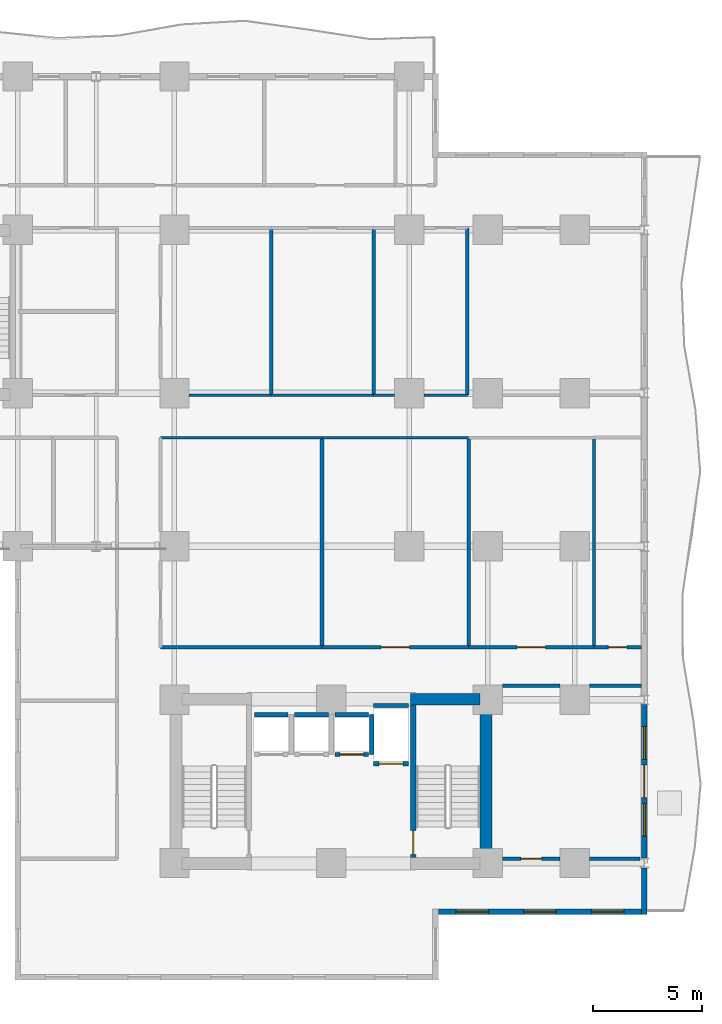
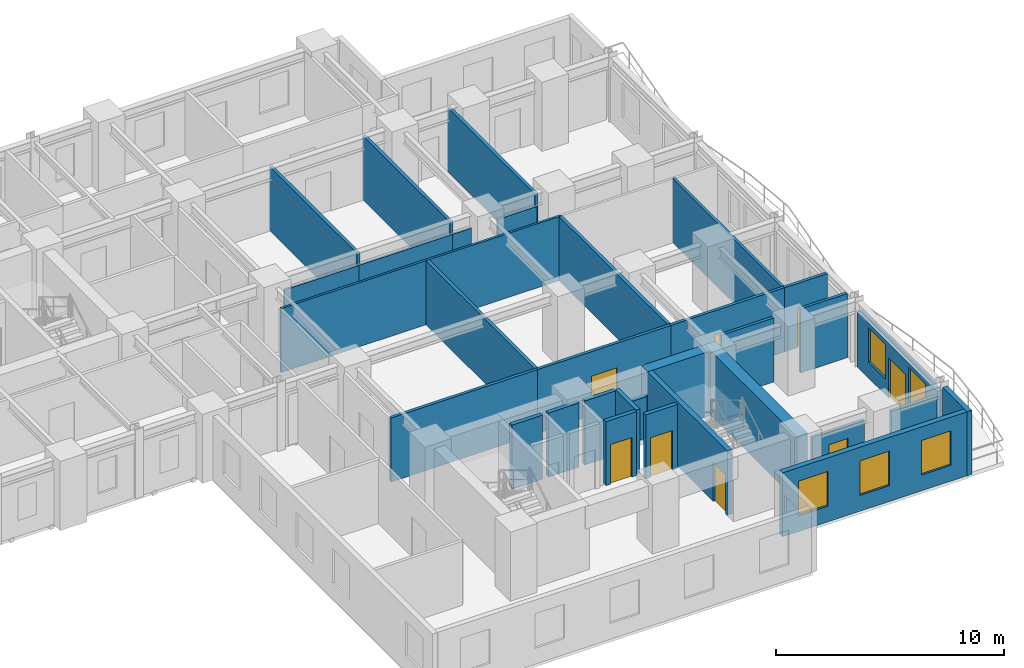
# One storey, part 5 of 11: 33 walls, 8 doors, 5 windows, 13 openings.
"""IFC4 building model written with IfcOpenShell, lengths in metres."""

from ifc_helpers import new_model, si_unit, direction, frame, frame_2d, origin, place, context, subcontext, project, spatial, rectangle, extrude, material, layer, layer_set, type_object, element, fill, save


model = new_model("IFC4")

# Units and contexts
model_context = context("Model", 3, precision=1e-05, world=origin(), true_north=direction((0.0, 1.0)))
body_context = subcontext(model_context, "Body", "Model", "MODEL_VIEW")
ifc_project = project(units=[si_unit("LENGTHUNIT", "METRE"), si_unit("AREAUNIT", "SQUARE_METRE"), si_unit("VOLUMEUNIT", "CUBIC_METRE"), si_unit("PLANEANGLEUNIT", "RADIAN"), si_unit("MASSUNIT", "GRAM", prefix="KILO")], contexts=[model_context])

# Site, building, storey
site_placement = place(None, origin())
site = spatial("IfcSite", under=ifc_project, at=site_placement, CompositionType="ELEMENT")
building_placement = place(site_placement, origin())
building = spatial("IfcBuilding", under=site, at=building_placement, Name="Kaliganga Portal Commons", CompositionType="ELEMENT")
storey_placement = place(building_placement, frame((0.0, 0.0, 58.60009765625)))
storey = spatial("IfcBuildingStorey", under=building, at=storey_placement, Name="L14", CompositionType="ELEMENT", Elevation=58.60009765625)

# Walls
ifc_material_1 = material(Name="Concrete C60/75", Category="concrete")
ifc_layer_1 = layer(ifc_material_1, 0.550048828125)
ifc_layer_set_1 = layer_set([ifc_layer_1], Name="Concrete C60/75")
wall_type_1 = type_object("IfcWallType", Name="WL-CORE-550", PredefinedType="SHEAR", material=ifc_layer_set_1)
wall_1_placement = place(storey_placement, frame((50.324951171875, 6.75, 0.0), z_axis=(0.0, 0.0, 1.0), x_axis=(0.0, 1.0, 0.0)))
element("IfcWall", 1, at=wall_1_placement, inside=storey, type_object=wall_type_1, Name="Core B East Shear Wall L14", PredefinedType="SHEAR", context=body_context, shape_type="SweptSolid", body=[
    extrude(rectangle(XDim=8.10009765625, YDim=0.550048828125, at=frame_2d((4.050048828125, 0.0))), origin(), (0.0, 0.0, 1.0), 3.449951171875),
])
wall_2_placement = place(storey_placement, frame((46.85009765625, 14.574951171875, 0.0), z_axis=(0.0, 0.0, 1.0), x_axis=(1.0, 0.0, 0.0)))
element("IfcWall", 2, at=wall_2_placement, inside=storey, type_object=wall_type_1, Name="Core B N-East Shear Wall L14", PredefinedType="SHEAR", context=body_context, shape_type="SweptSolid", body=[
    extrude(rectangle(XDim=3.199951171875, YDim=0.550048828125, at=frame_2d((1.60009765625, 0.0))), origin(), (0.0, 0.0, 1.0), 3.449951171875),
])

# Wall, openings, windows
ifc_material_2 = material(Name="Insulated Aluminium-Clad Spandrel Assembly", Category="aluminium")
ifc_layer_2 = layer(ifc_material_2, 0.260009765625)
ifc_layer_set_2 = layer_set([ifc_layer_2], Name="Insulated Aluminium-Clad Spandrel Assembly")
wall_type_2 = type_object("IfcWallType", Name="WL-EXT-SPAND-260", PredefinedType="STANDARD", material=ifc_layer_set_2)
wall_3_placement = place(storey_placement, frame((57.465087890625, 4.800048828125, 0.0), z_axis=(0.0, 0.0, 1.0), x_axis=(-1.0, 0.0, 0.0)))
wall_3 = element("IfcWall", 3, at=wall_3_placement, inside=storey, type_object=wall_type_2, Name="Exterior Envelope Wall L14 P1-E02-S1", PredefinedType="STANDARD", context=body_context, shape_type="SweptSolid", body=[
    extrude(rectangle(XDim=9.330078125, YDim=0.260009765625, at=frame_2d((4.6650390625, 0.0))), origin(), (0.0, 0.0, 1.0), 3.429931640625),
])
opening_1_placement = place(wall_3_placement, frame((0.804931640625, 0.0, 0.85009765625)))
opening_1 = element("IfcOpeningElement", 4, at=opening_1_placement, cuts=wall_3, Name="Opening W-02", PredefinedType="OPENING", context=body_context, shape_type="SweptSolid", body=[
    extrude(rectangle(XDim=1.5, YDim=1.85009765625, at=frame_2d((0.75, 0.925048828125))), frame((0.0, 0.14013671875, 0.0), z_axis=(0.0, -1.0, 0.0), x_axis=(1.0, 0.0, 0.0)), (0.0, 0.0, 1.0), 0.280029296875),
])
opening_2_placement = place(wall_3_placement, frame((3.9150390625, 0.0, 0.85009765625)))
opening_2 = element("IfcOpeningElement", 5, at=opening_2_placement, cuts=wall_3, Name="Opening W-02", PredefinedType="OPENING", context=body_context, shape_type="SweptSolid", body=[
    extrude(rectangle(XDim=1.5, YDim=1.85009765625, at=frame_2d((0.75, 0.925048828125))), frame((0.0, 0.14013671875, 0.0), z_axis=(0.0, -1.0, 0.0), x_axis=(1.0, 0.0, 0.0)), (0.0, 0.0, 1.0), 0.280029296875),
])
opening_3_placement = place(wall_3_placement, frame((7.02490234375, 0.0, 0.85009765625)))
opening_3 = element("IfcOpeningElement", 6, at=opening_3_placement, cuts=wall_3, Name="Opening W-02", PredefinedType="OPENING", context=body_context, shape_type="SweptSolid", body=[
    extrude(rectangle(XDim=1.5, YDim=1.85009765625, at=frame_2d((0.75, 0.925048828125))), frame((0.0, 0.14013671875, 0.0), z_axis=(0.0, -1.0, 0.0), x_axis=(1.0, 0.0, 0.0)), (0.0, 0.0, 1.0), 0.280029296875),
])
ifc_material_3 = material(Name="Thermally Broken Aluminium and Low-E Double Glazing", Category="aluminium")
window_type = type_object("IfcWindowType", Name="WIN-STD-1500", PartitioningType="DOUBLE_PANEL_VERTICAL", PredefinedType="WINDOW", material=ifc_material_3)
window_1_placement = place(opening_1_placement, origin())
window_1 = element("IfcWindow", 7, at=window_1_placement, inside=storey, type_object=window_type, Name="Facade Window L14-P1E02S1-00", OverallHeight=1.85009765625, OverallWidth=1.5, PartitioningType="SINGLE_PANEL", PredefinedType="WINDOW", context=body_context, shape_type="SweptSolid", body=[
    extrude(rectangle(XDim=1.5, YDim=1.85009765625, at=frame_2d((0.75, 0.925048828125))), frame((0.0, 0.030029296875, 0.0), z_axis=(0.0, -1.0, 0.0), x_axis=(1.0, 0.0, 0.0)), (0.0, 0.0, 1.0), 0.06005859375),
])
fill(opening_1, window_1)
window_2_placement = place(opening_2_placement, origin())
window_2 = element("IfcWindow", 8, at=window_2_placement, inside=storey, type_object=window_type, Name="Facade Window L14-P1E02S1-01", OverallHeight=1.85009765625, OverallWidth=1.5, PartitioningType="SINGLE_PANEL", PredefinedType="WINDOW", context=body_context, shape_type="SweptSolid", body=[
    extrude(rectangle(XDim=1.5, YDim=1.85009765625, at=frame_2d((0.75, 0.925048828125))), frame((0.0, 0.030029296875, 0.0), z_axis=(0.0, -1.0, 0.0), x_axis=(1.0, 0.0, 0.0)), (0.0, 0.0, 1.0), 0.06005859375),
])
fill(opening_2, window_2)
window_3_placement = place(opening_3_placement, origin())
window_3 = element("IfcWindow", 9, at=window_3_placement, inside=storey, type_object=window_type, Name="Facade Window L14-P1E02S1-02", OverallHeight=1.85009765625, OverallWidth=1.5, PartitioningType="SINGLE_PANEL", PredefinedType="WINDOW", context=body_context, shape_type="SweptSolid", body=[
    extrude(rectangle(XDim=1.5, YDim=1.85009765625, at=frame_2d((0.75, 0.925048828125))), frame((0.0, 0.030029296875, 0.0), z_axis=(0.0, -1.0, 0.0), x_axis=(1.0, 0.0, 0.0)), (0.0, 0.0, 1.0), 0.06005859375),
])
fill(opening_3, window_3)

# Wall
wall_4_placement = place(storey_placement, frame((57.60009765625, 6.825927734375, 0.0), z_axis=(0.0, 0.0, 1.0), x_axis=(0.0, -1.0, 0.0)))
element("IfcWall", 10, at=wall_4_placement, inside=storey, type_object=wall_type_2, Name="Exterior Envelope Wall L14 P1-E03-S1", PredefinedType="STANDARD", context=body_context, shape_type="SweptSolid", body=[
    extrude(rectangle(XDim=2.156005859375, YDim=0.260009765625, at=frame_2d((1.078125, 0.0))), origin(), (0.0, 0.0, 1.0), 3.429931640625),
])

# Wall, openings, door, windows
wall_5_placement = place(storey_placement, frame((57.60009765625, 14.325927734375, 0.0), z_axis=(0.0, 0.0, 1.0), x_axis=(0.0, -1.0, 0.0)))
wall_5 = element("IfcWall", 11, at=wall_5_placement, inside=storey, type_object=wall_type_2, Name="Exterior Envelope Wall L14 P1-E03-S2", PredefinedType="STANDARD", context=body_context, shape_type="SweptSolid", body=[
    extrude(rectangle(XDim=7.052001953125, YDim=0.260009765625, at=frame_2d((3.52587890625, 0.0))), origin(), (0.0, 0.0, 1.0), 2.929931640625),
])
opening_4_placement = place(wall_5_placement, frame((2.77587890625, 0.0, 0.0)))
opening_4 = element("IfcOpeningElement", 12, at=opening_4_placement, cuts=wall_5, Name="Opening BD-01", PredefinedType="OPENING", context=body_context, shape_type="SweptSolid", body=[
    extrude(rectangle(XDim=1.5, YDim=2.14990234375, at=frame_2d((0.75, 1.074951171875))), frame((0.0, 0.14013671875, 0.0), z_axis=(0.0, -1.0, 0.0), x_axis=(1.0, 0.0, 0.0)), (0.0, 0.0, 1.0), 0.280029296875),
])
opening_5_placement = place(wall_5_placement, frame((1.012939453125, 0.0, 0.85009765625)))
opening_5 = element("IfcOpeningElement", 13, at=opening_5_placement, cuts=wall_5, Name="Opening W-02", PredefinedType="OPENING", context=body_context, shape_type="SweptSolid", body=[
    extrude(rectangle(XDim=1.5, YDim=1.85009765625, at=frame_2d((0.75, 0.925048828125))), frame((0.0, 0.14013671875, 0.0), z_axis=(0.0, -1.0, 0.0), x_axis=(1.0, 0.0, 0.0)), (0.0, 0.0, 1.0), 0.280029296875),
])
opening_6_placement = place(wall_5_placement, frame((4.5390625, 0.0, 0.85009765625)))
opening_6 = element("IfcOpeningElement", 14, at=opening_6_placement, cuts=wall_5, Name="Opening W-02", PredefinedType="OPENING", context=body_context, shape_type="SweptSolid", body=[
    extrude(rectangle(XDim=1.5, YDim=1.85009765625, at=frame_2d((0.75, 0.925048828125))), frame((0.0, 0.14013671875, 0.0), z_axis=(0.0, -1.0, 0.0), x_axis=(1.0, 0.0, 0.0)), (0.0, 0.0, 1.0), 0.280029296875),
])
ifc_material_4 = material(Name="Anodized Aluminium and Laminated Safety Glass", Category="aluminium")
door_type_1 = type_object("IfcDoorType", Name="DR-BALC-1500", OperationType="SLIDING_TO_LEFT", PredefinedType="DOOR", material=ifc_material_4)
door_1_placement = place(opening_4_placement, origin())
door_1 = element("IfcDoor", 15, at=door_1_placement, inside=storey, type_object=door_type_1, Name="Balcony Sliding Door L14 balc_east", OperationType="SLIDING_TO_LEFT", OverallHeight=2.14990234375, OverallWidth=1.5, PredefinedType="DOOR", context=body_context, shape_type="SweptSolid", body=[
    extrude(rectangle(XDim=1.5, YDim=2.14990234375, at=frame_2d((0.75, 1.074951171875))), frame((0.0, 0.02490234375, 0.0), z_axis=(0.0, -1.0, 0.0), x_axis=(1.0, 0.0, 0.0)), (0.0, 0.0, 1.0), 0.050048828125),
])
fill(opening_4, door_1)
window_4_placement = place(opening_5_placement, origin())
window_4 = element("IfcWindow", 16, at=window_4_placement, inside=storey, type_object=window_type, Name="Facade Window L14-P1E03S2-00", OverallHeight=1.85009765625, OverallWidth=1.5, PartitioningType="SINGLE_PANEL", PredefinedType="WINDOW", context=body_context, shape_type="SweptSolid", body=[
    extrude(rectangle(XDim=1.5, YDim=1.85009765625, at=frame_2d((0.75, 0.925048828125))), frame((0.0, 0.030029296875, 0.0), z_axis=(0.0, -1.0, 0.0), x_axis=(1.0, 0.0, 0.0)), (0.0, 0.0, 1.0), 0.06005859375),
])
fill(opening_5, window_4)
window_5_placement = place(opening_6_placement, origin())
window_5 = element("IfcWindow", 17, at=window_5_placement, inside=storey, type_object=window_type, Name="Facade Window L14-P1E03S2-01", OverallHeight=1.85009765625, OverallWidth=1.5, PartitioningType="SINGLE_PANEL", PredefinedType="WINDOW", context=body_context, shape_type="SweptSolid", body=[
    extrude(rectangle(XDim=1.5, YDim=1.85009765625, at=frame_2d((0.75, 0.925048828125))), frame((0.0, 0.030029296875, 0.0), z_axis=(0.0, -1.0, 0.0), x_axis=(1.0, 0.0, 0.0)), (0.0, 0.0, 1.0), 0.06005859375),
])
fill(opening_6, window_5)

# Wall
ifc_material_5 = material(Name="Fire-Rated Gypsum Board on Steel Stud", Category="steel")
ifc_layer_3 = layer(ifc_material_5, 0.14990234375)
ifc_layer_set_3 = layer_set([ifc_layer_3], Name="Fire-Rated Gypsum Board on Steel Stud")
wall_type_3 = type_object("IfcWallType", Name="WL-PART-CORR-150", PredefinedType="PARTITIONING", material=ifc_layer_set_3)
wall_6_placement = place(storey_placement, frame((35.360107421875, 16.9599609375, 0.0), z_axis=(0.0, 0.0, 1.0), x_axis=(1.0, 0.0, 0.0)))
element("IfcWall", 18, at=wall_6_placement, inside=storey, type_object=wall_type_3, Name="Interior Partition L14-013", PredefinedType="PARTITIONING", context=body_context, shape_type="SweptSolid", body=[
    extrude(rectangle(XDim=7.419921875, YDim=0.14990234375, at=frame_2d((3.7099609375, 0.0))), origin(), (0.0, 0.0, 1.0), 3.429931640625),
])

# Wall, opening, door
wall_7_placement = place(storey_placement, frame((51.074951171875, 7.239990234375, 0.0), z_axis=(0.0, 0.0, 1.0), x_axis=(1.0, 0.0, 0.0)))
wall_7 = element("IfcWall", 19, at=wall_7_placement, inside=storey, type_object=wall_type_3, Name="Interior Partition L14-017", PredefinedType="PARTITIONING", context=body_context, shape_type="SweptSolid", body=[
    extrude(rectangle(XDim=2.650146484375, YDim=0.14990234375, at=frame_2d((1.3251953125, 0.0))), origin(), (0.0, 0.0, 1.0), 2.77978515625),
])
opening_7_placement = place(wall_7_placement, frame((0.85009765625, 0.0, 0.0)))
opening_7 = element("IfcOpeningElement", 20, at=opening_7_placement, cuts=wall_7, Name="Opening UD-01", PredefinedType="OPENING", context=body_context, shape_type="SweptSolid", body=[
    extrude(rectangle(XDim=0.949951171875, YDim=2.10009765625, at=frame_2d((0.47509765625, 1.050048828125))), frame((0.0, 0.0849609375, 0.0), z_axis=(0.0, -1.0, 0.0), x_axis=(1.0, 0.0, 0.0)), (0.0, 0.0, 1.0), 0.169921875),
])
ifc_material_6 = material(Name="Solid-Core Timber Acoustic Fire Door", Category="wood")
door_type_2 = type_object("IfcDoorType", Name="DR-UNIT-950", OperationType="NOTDEFINED", PredefinedType="DOOR", material=ifc_material_6)
door_2_placement = place(opening_7_placement, origin())
door_2 = element("IfcDoor", 21, at=door_2_placement, inside=storey, type_object=door_type_2, Name="Interior Door L14-BE01", OperationType="SINGLE_SWING_RIGHT", OverallHeight=2.10009765625, OverallWidth=0.949951171875, PredefinedType="DOOR", context=body_context, shape_type="SweptSolid", body=[
    extrude(rectangle(XDim=0.949951171875, YDim=2.10009765625, at=frame_2d((0.47509765625, 1.050048828125))), frame((0.0, 0.02490234375, 0.0), z_axis=(0.0, -1.0, 0.0), x_axis=(1.0, 0.0, 0.0)), (0.0, 0.0, 1.0), 0.050048828125),
])
fill(opening_7, door_2)

# Walls
wall_8_placement = place(storey_placement, frame((55.074951171875, 7.239990234375, 0.0), z_axis=(0.0, 0.0, 1.0), x_axis=(1.0, 0.0, 0.0)))
element("IfcWall", 22, at=wall_8_placement, inside=storey, type_object=wall_type_3, Name="Interior Partition L14-018", PredefinedType="PARTITIONING", context=body_context, shape_type="SweptSolid", body=[
    extrude(rectangle(XDim=2.317138671875, YDim=0.14990234375, at=frame_2d((1.15869140625, 0.0))), origin(), (0.0, 0.0, 1.0), 2.77978515625),
])
wall_9_placement = place(storey_placement, frame((51.074951171875, 15.199951171875, 0.0), z_axis=(0.0, 0.0, 1.0), x_axis=(1.0, 0.0, 0.0)))
element("IfcWall", 23, at=wall_9_placement, inside=storey, type_object=wall_type_3, Name="Interior Partition L14-019", PredefinedType="PARTITIONING", context=body_context, shape_type="SweptSolid", body=[
    extrude(rectangle(XDim=2.650146484375, YDim=0.14990234375, at=frame_2d((1.3251953125, 0.0))), origin(), (0.0, 0.0, 1.0), 3.429931640625),
])
wall_10_placement = place(storey_placement, frame((55.074951171875, 15.199951171875, 0.0), z_axis=(0.0, 0.0, 1.0), x_axis=(1.0, 0.0, 0.0)))
element("IfcWall", 24, at=wall_10_placement, inside=storey, type_object=wall_type_3, Name="Interior Partition L14-020", PredefinedType="PARTITIONING", context=body_context, shape_type="SweptSolid", body=[
    extrude(rectangle(XDim=2.39306640625, YDim=0.14990234375, at=frame_2d((1.196533203125, 0.0))), origin(), (0.0, 0.0, 1.0), 3.429931640625),
])

# Wall, opening, door
wall_11_placement = place(storey_placement, frame((42.780029296875, 16.9599609375, 0.0), z_axis=(0.0, 0.0, 1.0), x_axis=(1.0, 0.0, 0.0)))
wall_11 = element("IfcWall", 25, at=wall_11_placement, inside=storey, type_object=wall_type_3, Name="Interior Partition L14-022", PredefinedType="PARTITIONING", context=body_context, shape_type="SweptSolid", body=[
    extrude(rectangle(XDim=6.739990234375, YDim=0.14990234375, at=frame_2d((3.3701171875, 0.0))), origin(), (0.0, 0.0, 1.0), 3.429931640625),
])
opening_8_placement = place(wall_11_placement, frame((2.719970703125, 0.0, 0.0)))
opening_8 = element("IfcOpeningElement", 26, at=opening_8_placement, cuts=wall_11, Name="Opening RD-03", PredefinedType="OPENING", context=body_context, shape_type="SweptSolid", body=[
    extrude(rectangle(XDim=1.300048828125, YDim=2.1201171875, at=frame_2d((0.64990234375, 1.06005859375))), frame((0.0, 0.0849609375, 0.0), z_axis=(0.0, -1.0, 0.0), x_axis=(1.0, 0.0, 0.0)), (0.0, 0.0, 1.0), 0.169921875),
])
ifc_material_7 = material(Name="Glazed Timber Seminar Vision Door", Category="wood")
door_type_3 = type_object("IfcDoorType", Name="DR-STUDY-1300", OperationType="DOUBLE_DOOR_SINGLE_SWING", PredefinedType="DOOR", material=ifc_material_7)
door_3_placement = place(opening_8_placement, origin())
door_3 = element("IfcDoor", 27, at=door_3_placement, inside=storey, type_object=door_type_3, Name="Interior Door L14-BM02", OperationType="DOUBLE_DOOR_SINGLE_SWING", OverallHeight=2.1201171875, OverallWidth=1.300048828125, PredefinedType="DOOR", context=body_context, shape_type="SweptSolid", body=[
    extrude(rectangle(XDim=1.300048828125, YDim=2.1201171875, at=frame_2d((0.64990234375, 1.06005859375))), frame((0.0, 0.02490234375, 0.0), z_axis=(0.0, -1.0, 0.0), x_axis=(1.0, 0.0, 0.0)), (0.0, 0.0, 1.0), 0.050048828125),
])
fill(opening_8, door_3)

wall_12_placement = place(storey_placement, frame((49.52001953125, 16.9599609375, 0.0), z_axis=(0.0, 0.0, 1.0), x_axis=(1.0, 0.0, 0.0)))
wall_12 = element("IfcWall", 28, at=wall_12_placement, inside=storey, type_object=wall_type_3, Name="Interior Partition L14-026", PredefinedType="PARTITIONING", context=body_context, shape_type="SweptSolid", body=[
    extrude(rectangle(XDim=5.760009765625, YDim=0.14990234375, at=frame_2d((2.8798828125, 0.0))), origin(), (0.0, 0.0, 1.0), 3.429931640625),
])
opening_9_placement = place(wall_12_placement, frame((2.22998046875, 0.0, 0.0)))
opening_9 = element("IfcOpeningElement", 29, at=opening_9_placement, cuts=wall_12, Name="Opening RD-03", PredefinedType="OPENING", context=body_context, shape_type="SweptSolid", body=[
    extrude(rectangle(XDim=1.300048828125, YDim=2.1201171875, at=frame_2d((0.64990234375, 1.06005859375))), frame((0.0, 0.0849609375, 0.0), z_axis=(0.0, -1.0, 0.0), x_axis=(1.0, 0.0, 0.0)), (0.0, 0.0, 1.0), 0.169921875),
])
door_4_placement = place(opening_9_placement, origin())
door_4 = element("IfcDoor", 30, at=door_4_placement, inside=storey, type_object=door_type_3, Name="Interior Door L14-BM03", OperationType="DOUBLE_DOOR_SINGLE_SWING", OverallHeight=2.1201171875, OverallWidth=1.300048828125, PredefinedType="DOOR", context=body_context, shape_type="SweptSolid", body=[
    extrude(rectangle(XDim=1.300048828125, YDim=2.1201171875, at=frame_2d((0.64990234375, 1.06005859375))), frame((0.0, 0.02490234375, 0.0), z_axis=(0.0, -1.0, 0.0), x_axis=(1.0, 0.0, 0.0)), (0.0, 0.0, 1.0), 0.050048828125),
])
fill(opening_9, door_4)

wall_13_placement = place(storey_placement, frame((55.280029296875, 16.9599609375, 0.0), z_axis=(0.0, 0.0, 1.0), x_axis=(1.0, 0.0, 0.0)))
wall_13 = element("IfcWall", 31, at=wall_13_placement, inside=storey, type_object=wall_type_3, Name="Interior Partition L14-044", PredefinedType="PARTITIONING", context=body_context, shape_type="SweptSolid", body=[
    extrude(rectangle(XDim=2.18798828125, YDim=0.14990234375, at=frame_2d((1.093994140625, 0.0))), origin(), (0.0, 0.0, 1.0), 3.429931640625),
])
opening_10_placement = place(wall_13_placement, frame((0.6689453125, 0.0, 0.0)))
opening_10 = element("IfcOpeningElement", 32, at=opening_10_placement, cuts=wall_13, Name="Opening WD-01", PredefinedType="OPENING", context=body_context, shape_type="SweptSolid", body=[
    extrude(rectangle(XDim=0.85009765625, YDim=2.0400390625, at=frame_2d((0.425048828125, 1.02001953125))), frame((0.0, 0.0849609375, 0.0), z_axis=(0.0, -1.0, 0.0), x_axis=(1.0, 0.0, 0.0)), (0.0, 0.0, 1.0), 0.169921875),
])
ifc_material_8 = material(Name="Moisture-Resistant Laminate Timber Door", Category="wood")
door_type_4 = type_object("IfcDoorType", Name="DR-WET-850", OperationType="NOTDEFINED", PredefinedType="DOOR", material=ifc_material_8)
door_5_placement = place(opening_10_placement, origin())
door_5 = element("IfcDoor", 33, at=door_5_placement, inside=storey, type_object=door_type_4, Name="Interior Door L14-BM04", OperationType="SINGLE_SWING_LEFT", OverallHeight=2.0400390625, OverallWidth=0.85009765625, PredefinedType="DOOR", context=body_context, shape_type="SweptSolid", body=[
    extrude(rectangle(XDim=0.85009765625, YDim=2.0400390625, at=frame_2d((0.425048828125, 1.02001953125))), frame((0.0, 0.02490234375, 0.0), z_axis=(0.0, -1.0, 0.0), x_axis=(1.0, 0.0, 0.0)), (0.0, 0.0, 1.0), 0.050048828125),
])
fill(opening_10, door_5)

# Walls
ifc_material_9 = material(Name="Moisture-Resistant Gypsum Partition", Category="gypsum")
ifc_layer_4 = layer(ifc_material_9, 0.114990234375)
ifc_layer_set_4 = layer_set([ifc_layer_4], Name="Moisture-Resistant Gypsum Partition")
wall_type_4 = type_object("IfcWallType", Name="WL-PART-ROOM-115", PredefinedType="PARTITIONING", material=ifc_layer_set_4)
wall_14_placement = place(storey_placement, frame((35.360107421875, 26.60009765625, 0.0), z_axis=(0.0, 0.0, 1.0), x_axis=(1.0, 0.0, 0.0)))
element("IfcWall", 34, at=wall_14_placement, inside=storey, type_object=wall_type_4, Name="Interior Partition L14-056", PredefinedType="PARTITIONING", context=body_context, shape_type="SweptSolid", body=[
    extrude(rectangle(XDim=7.419921875, YDim=0.114990234375, at=frame_2d((3.7099609375, 0.0))), origin(), (0.0, 0.0, 1.0), 3.429931640625),
])
wall_15_placement = place(storey_placement, frame((42.780029296875, 26.60009765625, 0.0), z_axis=(0.0, 0.0, 1.0), x_axis=(1.0, 0.0, 0.0)))
element("IfcWall", 35, at=wall_15_placement, inside=storey, type_object=wall_type_4, Name="Interior Partition L14-057", PredefinedType="PARTITIONING", context=body_context, shape_type="SweptSolid", body=[
    extrude(rectangle(XDim=6.739990234375, YDim=0.114990234375, at=frame_2d((3.3701171875, 0.0))), origin(), (0.0, 0.0, 1.0), 3.429931640625),
])
wall_16_placement = place(storey_placement, frame((36.675048828125, 28.56005859375, 0.0), z_axis=(0.0, 0.0, 1.0), x_axis=(1.0, 0.0, 0.0)))
element("IfcWall", 36, at=wall_16_placement, inside=storey, type_object=wall_type_4, Name="Interior Partition L14-059", PredefinedType="PARTITIONING", context=body_context, shape_type="SweptSolid", body=[
    extrude(rectangle(XDim=3.764892578125, YDim=0.114990234375, at=frame_2d((1.88232421875, 0.0))), origin(), (0.0, 0.0, 1.0), 2.77978515625),
])
wall_17_placement = place(storey_placement, frame((40.43994140625, 28.56005859375, 0.0), z_axis=(0.0, 0.0, 1.0), x_axis=(1.0, 0.0, 0.0)))
element("IfcWall", 37, at=wall_17_placement, inside=storey, type_object=wall_type_4, Name="Interior Partition L14-072", PredefinedType="PARTITIONING", context=body_context, shape_type="SweptSolid", body=[
    extrude(rectangle(XDim=4.719970703125, YDim=0.114990234375, at=frame_2d((2.35986328125, 0.0))), origin(), (0.0, 0.0, 1.0), 2.77978515625),
])
wall_18_placement = place(storey_placement, frame((45.159912109375, 28.56005859375, 0.0), z_axis=(0.0, 0.0, 1.0), x_axis=(1.0, 0.0, 0.0)))
element("IfcWall", 38, at=wall_18_placement, inside=storey, type_object=wall_type_4, Name="Interior Partition L14-076", PredefinedType="PARTITIONING", context=body_context, shape_type="SweptSolid", body=[
    extrude(rectangle(XDim=0.965087890625, YDim=0.114990234375, at=frame_2d((0.482421875, 0.0))), origin(), (0.0, 0.0, 1.0), 2.77978515625),
])
wall_19_placement = place(storey_placement, frame((47.47509765625, 28.56005859375, 0.0), z_axis=(0.0, 0.0, 1.0), x_axis=(1.0, 0.0, 0.0)))
element("IfcWall", 39, at=wall_19_placement, inside=storey, type_object=wall_type_4, Name="Interior Partition L14-077", PredefinedType="PARTITIONING", context=body_context, shape_type="SweptSolid", body=[
    extrude(rectangle(XDim=1.98486328125, YDim=0.114990234375, at=frame_2d((0.992431640625, 0.0))), origin(), (0.0, 0.0, 1.0), 2.77978515625),
])
ifc_material_10 = material(Name="Twin-Stud Acoustic Gypsum Partition", Category="gypsum")
ifc_layer_5 = layer(ifc_material_10, 0.1650390625)
ifc_layer_set_5 = layer_set([ifc_layer_5], Name="Twin-Stud Acoustic Gypsum Partition")
wall_type_5 = type_object("IfcWallType", Name="WL-PART-UNIT-165", PredefinedType="PARTITIONING", material=ifc_layer_set_5)
for number, where, z_axis, x_axis, name in (
    (40, (42.780029296875, 16.9599609375, 0.0), (0.0, 0.0, 1.0), (0.0, 1.0, 0.0), "Interior Partition L14-048"),
    (41, (49.52001953125, 16.9599609375, 0.0), (0.0, 0.0, 1.0), (0.0, 1.0, 0.0), "Interior Partition L14-049"),
):
    element("IfcWall", number, at=place(storey_placement, frame(where, z_axis=z_axis, x_axis=x_axis)), inside=storey, type_object=wall_type_5, Name=name, PredefinedType="PARTITIONING", context=body_context, shape_type="SweptSolid", body=[
        extrude(rectangle(XDim=9.64013671875, YDim=0.1650390625, at=frame_2d((4.820068359375, 0.0))), origin(), (0.0, 0.0, 1.0), 3.429931640625),
    ])
for number, where, z_axis, x_axis, name in (
    (42, (40.43994140625, 28.56005859375, 0.0), (0.0, 0.0, 1.0), (0.0, 1.0, 0.0), "Interior Partition L14-053"),
    (43, (45.159912109375, 28.56005859375, 0.0), (0.0, 0.0, 1.0), (0.0, 1.0, 0.0), "Interior Partition L14-054"),
    (44, (49.4599609375, 28.56005859375, 0.0), (0.0, 0.0, 1.0), (0.0, 1.0, 0.0), "Interior Partition L14-055"),
):
    element("IfcWall", number, at=place(storey_placement, frame(where, z_axis=z_axis, x_axis=x_axis)), inside=storey, type_object=wall_type_5, Name=name, PredefinedType="PARTITIONING", context=body_context, shape_type="SweptSolid", body=[
        extrude(rectangle(XDim=7.679931640625, YDim=0.1650390625, at=frame_2d((3.83984375, 0.0))), origin(), (0.0, 0.0, 1.0), 3.429931640625),
    ])
ifc_material_11 = material(Name="Cement-Board Wet-Room Partition", Category="gypsum")
ifc_layer_6 = layer(ifc_material_11, 0.135009765625)
ifc_layer_set_6 = layer_set([ifc_layer_6], Name="Cement-Board Wet-Room Partition")
wall_type_6 = type_object("IfcWallType", Name="WL-PART-WET-135", PredefinedType="PARTITIONING", material=ifc_layer_set_6)
wall_20_placement = place(storey_placement, frame((55.280029296875, 16.9599609375, 0.0), z_axis=(0.0, 0.0, 1.0), x_axis=(0.0, 1.0, 0.0)))
element("IfcWall", 45, at=wall_20_placement, inside=storey, type_object=wall_type_6, Name="Interior Partition L14-050", PredefinedType="PARTITIONING", context=body_context, shape_type="SweptSolid", body=[
    extrude(rectangle(XDim=9.64013671875, YDim=0.135009765625, at=frame_2d((4.820068359375, 0.0))), origin(), (0.0, 0.0, 1.0), 3.429931640625),
])
ifc_material_12 = material(Name="Fire-Rated Shaftwall Masonry Assembly", Category="masonry")
ifc_layer_7 = layer(ifc_material_12, 0.199951171875)
ifc_layer_set_7 = layer_set([ifc_layer_7], Name="Fire-Rated Shaftwall Masonry Assembly")
wall_type_7 = type_object("IfcWallType", Name="WL-SHAFT-200", PredefinedType="PARTITIONING", material=ifc_layer_set_7)
for number, where, z_axis, x_axis, name in (
    (46, (39.675048828125, 13.864990234375, 0.0), (0.0, 0.0, 1.0), (1.0, 0.0, 0.0), "Lift PL-B1 Hoistway Shaft Wall L14-N"),
    (47, (41.52490234375, 13.864990234375, 0.0), (0.0, 0.0, 1.0), (1.0, 0.0, 0.0), "Lift PL-B2 Hoistway Shaft Wall L14-N"),
):
    element("IfcWall", number, at=place(storey_placement, frame(where, z_axis=z_axis, x_axis=x_axis)), inside=storey, type_object=wall_type_7, Name=name, PredefinedType="PARTITIONING", context=body_context, shape_type="SweptSolid", body=[
        extrude(rectangle(XDim=1.550048828125, YDim=0.199951171875, at=frame_2d((0.77490234375, 0.0))), origin(), (0.0, 0.0, 1.0), 3.429931640625),
    ])

# Wall, opening, door
wall_21_placement = place(storey_placement, frame((43.375, 12.034912109375, 0.0), z_axis=(0.0, 0.0, 1.0), x_axis=(1.0, 0.0, 0.0)))
wall_21 = element("IfcWall", 48, at=wall_21_placement, inside=storey, type_object=wall_type_7, Name="Lift SH-2 Hoistway Shaft Wall L14-S", PredefinedType="PARTITIONING", context=body_context, shape_type="SweptSolid", body=[
    extrude(rectangle(XDim=1.550048828125, YDim=0.199951171875, at=frame_2d((0.77490234375, 0.0))), origin(), (0.0, 0.0, 1.0), 3.429931640625),
])
opening_11_placement = place(wall_21_placement, frame((0.22509765625, 0.0, 0.0)))
opening_11 = element("IfcOpeningElement", 49, at=opening_11_placement, cuts=wall_21, Name="Opening LD-01", PredefinedType="OPENING", context=body_context, shape_type="SweptSolid", body=[
    extrude(rectangle(XDim=1.10009765625, YDim=2.1201171875, at=frame_2d((0.550048828125, 1.06005859375))), frame((0.0, 0.10986328125, 0.0), z_axis=(0.0, -1.0, 0.0), x_axis=(1.0, 0.0, 0.0)), (0.0, 0.0, 1.0), 0.219970703125),
])
ifc_material_13 = material(Name="Brushed Stainless Steel 316 Lift Landing Door", Category="steel")
door_type_5 = type_object("IfcDoorType", Name="DR-LIFT-1100", OperationType="SLIDING_TO_LEFT", PredefinedType="DOOR", material=ifc_material_13)
door_6_placement = place(opening_11_placement, origin())
door_6 = element("IfcDoor", 50, at=door_6_placement, inside=storey, type_object=door_type_5, Name="Lift SH-2 Sliding Landing Door L14", OperationType="SLIDING_TO_LEFT", OverallHeight=2.1201171875, OverallWidth=1.10009765625, PredefinedType="DOOR", context=body_context, shape_type="SweptSolid", body=[
    extrude(rectangle(XDim=1.10009765625, YDim=2.1201171875, at=frame_2d((0.550048828125, 1.06005859375))), frame((0.0, 0.02490234375, 0.0), z_axis=(0.0, -1.0, 0.0), x_axis=(1.0, 0.0, 0.0)), (0.0, 0.0, 1.0), 0.050048828125),
])
fill(opening_11, door_6)

# Walls
wall_22_placement = place(storey_placement, frame((43.375, 13.864990234375, 0.0), z_axis=(0.0, 0.0, 1.0), x_axis=(1.0, 0.0, 0.0)))
element("IfcWall", 51, at=wall_22_placement, inside=storey, type_object=wall_type_7, Name="Lift SH-2 Hoistway Shaft Wall L14-N", PredefinedType="PARTITIONING", context=body_context, shape_type="SweptSolid", body=[
    extrude(rectangle(XDim=1.550048828125, YDim=0.199951171875, at=frame_2d((0.77490234375, 0.0))), origin(), (0.0, 0.0, 1.0), 3.429931640625),
])
wall_23_placement = place(storey_placement, frame((45.06494140625, 12.034912109375, 0.0), z_axis=(0.0, 0.0, 1.0), x_axis=(0.0, 1.0, 0.0)))
element("IfcWall", 52, at=wall_23_placement, inside=storey, type_object=wall_type_7, Name="Lift SH-2 Hoistway Shaft Wall L14-E", PredefinedType="PARTITIONING", context=body_context, shape_type="SweptSolid", body=[
    extrude(rectangle(XDim=1.830078125, YDim=0.199951171875, at=frame_2d((0.9150390625, 0.0))), origin(), (0.0, 0.0, 1.0), 3.429931640625),
])

# Wall, opening, door
wall_24_placement = place(storey_placement, frame((45.14990234375, 11.610107421875, 0.0), z_axis=(0.0, 0.0, 1.0), x_axis=(1.0, 0.0, 0.0)))
wall_24 = element("IfcWall", 53, at=wall_24_placement, inside=storey, type_object=wall_type_7, Name="Lift SL-B1 Hoistway Shaft Wall L14-S", PredefinedType="PARTITIONING", context=body_context, shape_type="SweptSolid", body=[
    extrude(rectangle(XDim=1.60009765625, YDim=0.199951171875, at=frame_2d((0.800048828125, 0.0))), origin(), (0.0, 0.0, 1.0), 3.429931640625),
])
opening_12_placement = place(wall_24_placement, frame((0.25, 0.0, 0.0)))
opening_12 = element("IfcOpeningElement", 54, at=opening_12_placement, cuts=wall_24, Name="Opening LD-01", PredefinedType="OPENING", context=body_context, shape_type="SweptSolid", body=[
    extrude(rectangle(XDim=1.10009765625, YDim=2.1201171875, at=frame_2d((0.550048828125, 1.06005859375))), frame((0.0, 0.10986328125, 0.0), z_axis=(0.0, -1.0, 0.0), x_axis=(1.0, 0.0, 0.0)), (0.0, 0.0, 1.0), 0.219970703125),
])
door_7_placement = place(opening_12_placement, origin())
door_7 = element("IfcDoor", 55, at=door_7_placement, inside=storey, type_object=door_type_5, Name="Lift SL-B1 Sliding Landing Door L14", OperationType="SLIDING_TO_LEFT", OverallHeight=2.1201171875, OverallWidth=1.10009765625, PredefinedType="DOOR", context=body_context, shape_type="SweptSolid", body=[
    extrude(rectangle(XDim=1.10009765625, YDim=2.1201171875, at=frame_2d((0.550048828125, 1.06005859375))), frame((0.0, 0.02490234375, 0.0), z_axis=(0.0, -1.0, 0.0), x_axis=(1.0, 0.0, 0.0)), (0.0, 0.0, 1.0), 0.050048828125),
])
fill(opening_12, door_7)

# Wall
wall_25_placement = place(storey_placement, frame((45.14990234375, 14.2900390625, 0.0), z_axis=(0.0, 0.0, 1.0), x_axis=(1.0, 0.0, 0.0)))
element("IfcWall", 56, at=wall_25_placement, inside=storey, type_object=wall_type_7, Name="Lift SL-B1 Hoistway Shaft Wall L14-N", PredefinedType="PARTITIONING", context=body_context, shape_type="SweptSolid", body=[
    extrude(rectangle(XDim=1.60009765625, YDim=0.199951171875, at=frame_2d((0.800048828125, 0.0))), origin(), (0.0, 0.0, 1.0), 2.22998046875),
])

# Wall, opening, door
ifc_material_14 = material(Name="Concrete C50/60", Category="concrete")
ifc_layer_8 = layer(ifc_material_14, 0.25)
ifc_layer_set_8 = layer_set([ifc_layer_8], Name="Concrete C50/60")
wall_type_8 = type_object("IfcWallType", Name="WL-STAIR-250", PredefinedType="SHEAR", material=ifc_layer_set_8)
wall_26_placement = place(storey_placement, frame((46.97509765625, 7.300048828125, 0.0), z_axis=(0.0, 0.0, 1.0), x_axis=(0.0, 1.0, 0.0)))
wall_26 = element("IfcWall", 57, at=wall_26_placement, inside=storey, type_object=wall_type_8, Name="Stair B2 Enclosure Shear Wall L14", PredefinedType="SHEAR", context=body_context, shape_type="SweptSolid", body=[
    extrude(rectangle(XDim=7.0, YDim=0.25, at=frame_2d((3.5, 0.0))), origin(), (0.0, 0.0, 1.0), 3.449951171875),
])
opening_13_placement = place(wall_26_placement, frame((0.14990234375, 0.0, 0.0)))
opening_13 = element("IfcOpeningElement", 58, at=opening_13_placement, cuts=wall_26, Name="Opening SD-01", PredefinedType="OPENING", context=body_context, shape_type="SweptSolid", body=[
    extrude(rectangle(XDim=1.10009765625, YDim=2.080078125, at=frame_2d((0.550048828125, 1.0400390625))), frame((0.0, 0.135009765625, 0.0), z_axis=(0.0, -1.0, 0.0), x_axis=(1.0, 0.0, 0.0)), (0.0, 0.0, 1.0), 0.27001953125),
])
ifc_material_15 = material(Name="Galvanized Steel Fire Door Leaf and Frame", Category="steel")
door_type_6 = type_object("IfcDoorType", Name="DR-STAIR-1100", OperationType="NOTDEFINED", PredefinedType="DOOR", material=ifc_material_15)
door_8_placement = place(opening_13_placement, origin())
door_8 = element("IfcDoor", 59, at=door_8_placement, inside=storey, type_object=door_type_6, Name="Protected Stair ST-B2 Fire Door L14", OperationType="SINGLE_SWING_LEFT", OverallHeight=2.080078125, OverallWidth=1.10009765625, PredefinedType="DOOR", context=body_context, shape_type="SweptSolid", body=[
    extrude(rectangle(XDim=1.10009765625, YDim=2.080078125, at=frame_2d((0.550048828125, 1.0400390625))), frame((0.0, 0.02490234375, 0.0), z_axis=(0.0, -1.0, 0.0), x_axis=(1.0, 0.0, 0.0)), (0.0, 0.0, 1.0), 0.050048828125),
])
fill(opening_13, door_8)

save(model, "model.ifc")
